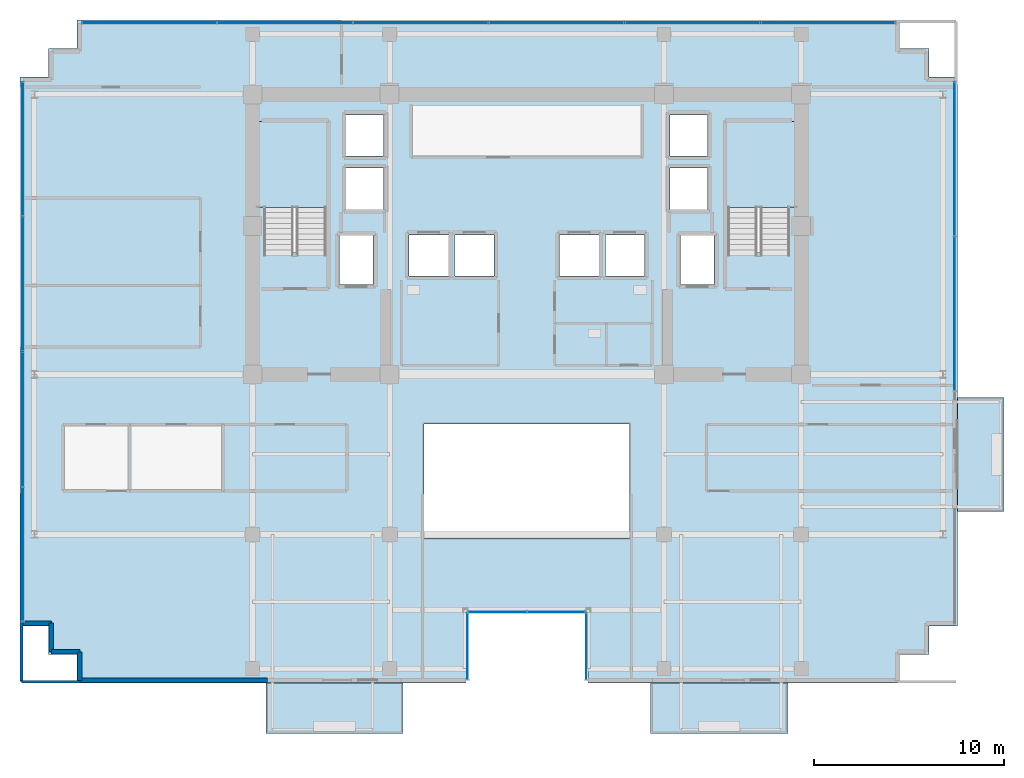
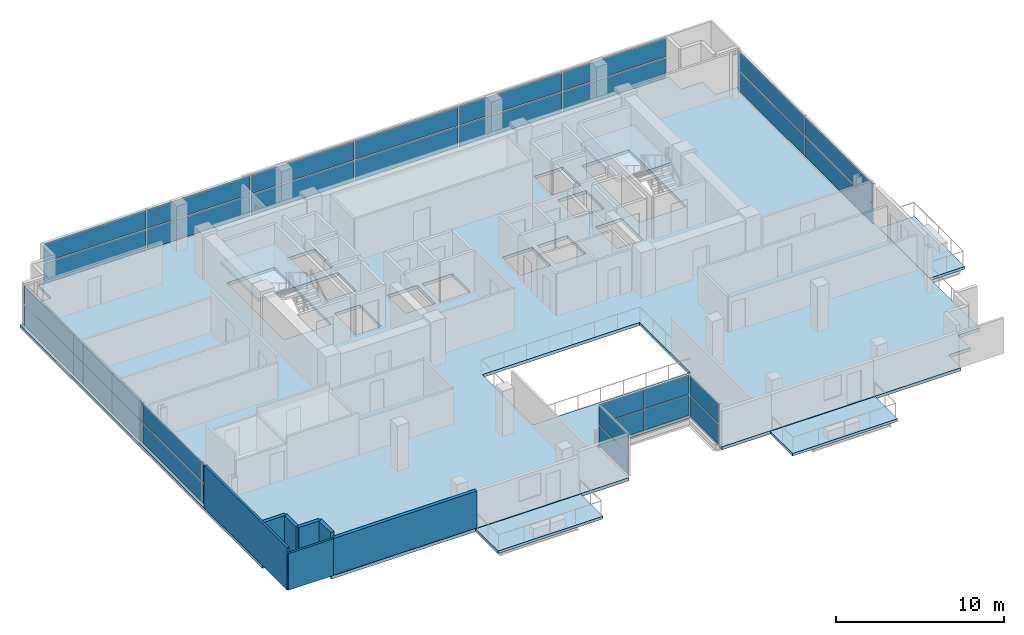
# One storey, part 17 of 25: 32 plates, 7 walls, 6 slabs, 8 elements without a shape of their own.
"""IFC4 building model written with IfcOpenShell, lengths in metres."""

from ifc_helpers import new_model, si_unit, direction, frame, frame_2d, origin, origin_2d, place, context, subcontext, project, spatial, polyline, rectangle, outline, extrude, source, transform, mapped, material, layer, layer_set, type_object, element, aggregate, save


model = new_model("IFC4")

# Units and contexts
model_context = context("Model", 3, precision=1e-05, world=origin(), true_north=direction((0.0, 1.0)))
body_context = subcontext(model_context, "Body", "Model", "MODEL_VIEW")
ifc_project = project(units=[si_unit("LENGTHUNIT", "METRE"), si_unit("AREAUNIT", "SQUARE_METRE"), si_unit("VOLUMEUNIT", "CUBIC_METRE"), si_unit("PLANEANGLEUNIT", "RADIAN"), si_unit("MASSUNIT", "GRAM", prefix="KILO")], contexts=[model_context])

# Site, building, storey
site_placement = place(None, origin())
site = spatial("IfcSite", under=ifc_project, at=site_placement, CompositionType="ELEMENT")
building_placement = place(site_placement, origin())
building = spatial("IfcBuilding", under=site, at=building_placement, Name="Zarnakvel Exchange Tower", CompositionType="ELEMENT")
storey_placement = place(building_placement, frame((0.0, 0.0, 169.300048828125)))
storey = spatial("IfcBuildingStorey", under=building, at=storey_placement, Name="L47", CompositionType="ELEMENT", Elevation=169.300048828125)

# Stair, slab
ifc_material_1 = material(Name="Concrete C40/50", Category="concrete")
stair_type = type_object("IfcStairType", Name="STR-01", PredefinedType="HALF_TURN_STAIR", material=ifc_material_1)
stair_1_placement = place(storey_placement, origin())
stair_1 = element("IfcStair", 1, at=stair_1_placement, inside=storey, type_object=stair_type, Name="L47 Protected Core Exit Stair ST-01", PredefinedType="HALF_TURN_STAIR")
ifc_layer_1 = layer(ifc_material_1, 0.199951171875)
ifc_layer_set_1 = layer_set([ifc_layer_1], Name="Concrete C40/50")
slab_type_1 = type_object("IfcSlabType", Name="LDG-01", PredefinedType="LANDING", material=ifc_layer_set_1)
slab_1_placement = place(storey_placement, frame((0.0, 0.0, 1.449951171875)))
slab_1 = element("IfcSlab", 2, at=slab_1_placement, type_object=slab_type_1, Name="ST-01 landing 1", PredefinedType="LANDING", context=body_context, shape_type="SweptSolid", body=[
    extrude(outline(polyline([(-14.18994140625, 7.570068359375), (-10.4599609375, 7.570068359375), (-10.4599609375, 12.080078125), (-14.18994140625, 12.080078125), (-14.18994140625, 7.570068359375)])), origin(), (0.0, 0.0, 1.0), 0.199951171875),
])
aggregate(stair_1, [slab_1])

stair_2_placement = place(storey_placement, origin())
stair_2 = element("IfcStair", 3, at=stair_2_placement, inside=storey, type_object=stair_type, Name="L47 Protected Core Exit Stair ST-02", PredefinedType="HALF_TURN_STAIR")
slab_2_placement = place(storey_placement, frame((0.0, 0.0, 1.449951171875)))
slab_2 = element("IfcSlab", 4, at=slab_2_placement, type_object=slab_type_1, Name="ST-02 landing 1", PredefinedType="LANDING", context=body_context, shape_type="SweptSolid", body=[
    extrude(outline(polyline([(10.4599609375, 7.570068359375), (14.18994140625, 7.570068359375), (14.18994140625, 12.080078125), (10.4599609375, 12.080078125), (10.4599609375, 7.570068359375)])), origin(), (0.0, 0.0, 1.0), 0.199951171875),
])
aggregate(stair_2, [slab_2])

# Slabs
ifc_layer_2 = layer(ifc_material_1, 0.22509765625)
ifc_layer_set_2 = layer_set([ifc_layer_2], Name="Concrete C40/50")
slab_type_2 = type_object("IfcSlabType", Name="SL-04", PredefinedType="FLOOR", material=ifc_layer_set_2)
slab_3_placement = place(storey_placement, frame((0.0, 0.0, -0.22509765625)))
element("IfcSlab", 5, at=slab_3_placement, inside=storey, type_object=slab_type_2, Name="L47 Primary Structural Floor Slab", PredefinedType="FLOOR", context=body_context, shape_type="SweptSolid", body=[
    extrude(outline(polyline([(-26.60009765625, -14.39990234375), (-25.10009765625, -14.39990234375), (-25.10009765625, -15.89990234375), (-23.60009765625, -15.89990234375), (-23.60009765625, -17.39990234375), (-3.199951171875, -17.39990234375), (-3.199951171875, -13.60009765625), (3.199951171875, -13.60009765625), (3.199951171875, -17.39990234375), (19.60009765625, -17.39990234375), (19.60009765625, -15.89990234375), (21.10009765625, -15.89990234375), (21.10009765625, -14.39990234375), (22.60009765625, -14.39990234375), (22.60009765625, 14.39990234375), (21.10009765625, 14.39990234375), (21.10009765625, 15.89990234375), (19.60009765625, 15.89990234375), (19.60009765625, 17.39990234375), (-23.60009765625, 17.39990234375), (-23.60009765625, 15.89990234375), (-25.10009765625, 15.89990234375), (-25.10009765625, 14.39990234375), (-26.60009765625, 14.39990234375), (-26.60009765625, -14.39990234375)]), holes=[polyline([(-5.39990234375, -9.800048828125), (5.39990234375, -9.800048828125), (5.39990234375, -3.800048828125), (-5.39990234375, -3.800048828125), (-5.39990234375, -9.800048828125)]), polyline([(-13.800048828125, 5.2099609375), (-10.5400390625, 5.2099609375), (-10.5400390625, 12.0), (-13.800048828125, 12.0), (-13.800048828125, 5.2099609375)]), polyline([(10.5400390625, 5.2099609375), (13.800048828125, 5.2099609375), (13.800048828125, 12.0), (10.5400390625, 12.0), (10.5400390625, 5.2099609375)]), polyline([(-9.830078125, 3.52001953125), (-8.070068359375, 3.52001953125), (-8.070068359375, 6.080078125), (-9.830078125, 6.080078125), (-9.830078125, 3.52001953125)]), polyline([(8.070068359375, 3.52001953125), (9.830078125, 3.52001953125), (9.830078125, 6.080078125), (8.070068359375, 6.080078125), (8.070068359375, 3.52001953125)]), polyline([(-6.179931640625, 3.969970703125), (-4.1201171875, 3.969970703125), (-4.1201171875, 6.1298828125), (-6.179931640625, 6.1298828125), (-6.179931640625, 3.969970703125)]), polyline([(-3.780029296875, 3.969970703125), (-1.719970703125, 3.969970703125), (-1.719970703125, 6.1298828125), (-3.780029296875, 6.1298828125), (-3.780029296875, 3.969970703125)]), polyline([(1.719970703125, 3.969970703125), (3.780029296875, 3.969970703125), (3.780029296875, 6.1298828125), (1.719970703125, 6.1298828125), (1.719970703125, 3.969970703125)]), polyline([(4.1201171875, 3.969970703125), (6.179931640625, 3.969970703125), (6.179931640625, 6.1298828125), (4.1201171875, 6.1298828125), (4.1201171875, 3.969970703125)]), polyline([(-9.47998046875, 7.469970703125), (-7.52001953125, 7.469970703125), (-7.52001953125, 9.6298828125), (-9.47998046875, 9.6298828125), (-9.47998046875, 7.469970703125)]), polyline([(-9.47998046875, 10.27001953125), (-7.52001953125, 10.27001953125), (-7.52001953125, 12.429931640625), (-9.47998046875, 12.429931640625), (-9.47998046875, 10.27001953125)]), polyline([(7.52001953125, 7.469970703125), (9.47998046875, 7.469970703125), (9.47998046875, 9.6298828125), (7.52001953125, 9.6298828125), (7.52001953125, 7.469970703125)]), polyline([(7.52001953125, 10.27001953125), (9.47998046875, 10.27001953125), (9.47998046875, 12.429931640625), (7.52001953125, 12.429931640625), (7.52001953125, 10.27001953125)])]), origin(), (0.0, 0.0, 1.0), 0.22509765625),
])
ifc_layer_3 = layer(ifc_material_1, 0.18994140625)
ifc_layer_set_3 = layer_set([ifc_layer_3], Name="Concrete C40/50")
slab_type_3 = type_object("IfcSlabType", Name="SL-08", PredefinedType="USERDEFINED", material=ifc_layer_set_3)
slab_4_placement = place(storey_placement, frame((0.0, 0.0, -0.22509765625)))
element("IfcSlab", 6, at=slab_4_placement, inside=storey, type_object=slab_type_3, Name="L47 Planted Loggia Balcony Slab BAL-L47-SW", ObjectType="BALCONY", PredefinedType="USERDEFINED", context=body_context, shape_type="SweptSolid", body=[
    extrude(outline(polyline([(-13.699951171875, -20.050048828125), (-6.5, -20.050048828125), (-6.5, -17.39990234375), (-13.699951171875, -17.39990234375), (-13.699951171875, -20.050048828125)])), origin(), (0.0, 0.0, 1.0), 0.18994140625),
])
slab_5_placement = place(storey_placement, frame((0.0, 0.0, -0.22509765625)))
element("IfcSlab", 7, at=slab_5_placement, inside=storey, type_object=slab_type_3, Name="L47 Planted Loggia Balcony Slab BAL-L47-SE", ObjectType="BALCONY", PredefinedType="USERDEFINED", context=body_context, shape_type="SweptSolid", body=[
    extrude(outline(polyline([(6.5, -20.050048828125), (13.699951171875, -20.050048828125), (13.699951171875, -17.39990234375), (6.5, -17.39990234375), (6.5, -20.050048828125)])), origin(), (0.0, 0.0, 1.0), 0.18994140625),
])
slab_6_placement = place(storey_placement, frame((0.0, 0.0, -0.22509765625)))
element("IfcSlab", 8, at=slab_6_placement, inside=storey, type_object=slab_type_3, Name="L47 Planted Loggia Balcony Slab BAL-L47-E", ObjectType="BALCONY", PredefinedType="USERDEFINED", context=body_context, shape_type="SweptSolid", body=[
    extrude(outline(polyline([(22.60009765625, -8.39990234375), (25.050048828125, -8.39990234375), (25.050048828125, -2.39990234375), (22.60009765625, -2.39990234375), (22.60009765625, -8.39990234375)])), origin(), (0.0, 0.0, 1.0), 0.18994140625),
])

# Curtain wall, plate
ifc_material_2 = material(Name="Architectural Bronze Anodised Aluminium", Category="aluminium")
ifc_layer_4 = layer(ifc_material_2, 0.179931640625)
ifc_layer_set_4 = layer_set([ifc_layer_4], Name="Architectural Bronze Anodised Aluminium")
curtain_wall_type_1 = type_object("IfcCurtainWallType", Name="CW-05", PredefinedType="NOTDEFINED", material=ifc_layer_set_4)
curtain_wall_1_placement = place(storey_placement, origin())
curtain_wall_1 = element("IfcCurtainWall", 9, at=curtain_wall_1_placement, inside=storey, type_object=curtain_wall_type_1, Name="L47 Curtain Wall CW-L47-SLW (CW-05)", PredefinedType="NOTDEFINED")
ifc_material_3 = material(Name="Double Low-E Laminated Vision Glass", Category="glass")
ifc_layer_5 = layer(ifc_material_3, 0.02587890625)
ifc_layer_set_5 = layer_set([ifc_layer_5], Name="Double Low-E Laminated Vision Glass")
plate_type_1 = type_object("IfcPlateType", Name="CWP-05", PredefinedType="CURTAIN_PANEL", material=ifc_layer_set_5)
shared_shape_1 = source(origin(), body_context, "Body", "SweptSolid", [
    extrude(rectangle(XDim=3.4599609375, YDim=0.02587890625, at=origin_2d()), origin(), (0.0, 0.0, 1.0), 1.483642578125),
])
plate_1_placement = place(storey_placement, frame((-3.1201171875, -15.47998046875, 0.06982421875), z_axis=(0.0, 0.0, 1.0), x_axis=(0.0, 1.0, 0.0)))
plate_1 = element("IfcPlate", 10, at=plate_1_placement, type_object=plate_type_1, Name="CW-05 panel 1.1", PredefinedType="CURTAIN_PANEL", context=body_context, shape_type="MappedRepresentation", body=[
    mapped(shared_shape_1, transform((0.0, 0.0, 0.0), x_axis=(1.0, 0.0, 0.0), y_axis=(0.0, 1.0, 0.0), z_axis=(0.0, 0.0, 1.0), scale=1.0)),
])

curtain_wall_2_placement = place(storey_placement, origin())
curtain_wall_2 = element("IfcCurtainWall", 11, at=curtain_wall_2_placement, inside=storey, type_object=curtain_wall_type_1, Name="L47 Curtain Wall CW-L47-SLE (CW-05)", PredefinedType="NOTDEFINED")
plate_2_placement = place(storey_placement, frame((3.1201171875, -15.47998046875, 0.06982421875), z_axis=(0.0, 0.0, 1.0), x_axis=(0.0, -1.0, 0.0)))
plate_2 = element("IfcPlate", 12, at=plate_2_placement, type_object=plate_type_1, Name="CW-05 panel 1.1", PredefinedType="CURTAIN_PANEL", context=body_context, shape_type="MappedRepresentation", body=[
    mapped(shared_shape_1, transform((0.0, 0.0, 0.0), x_axis=(1.0, 0.0, 0.0), y_axis=(0.0, 1.0, 0.0), z_axis=(0.0, 0.0, 1.0), scale=1.0)),
])

# Plate
shared_shape_2 = source(origin(), body_context, "Body", "SweptSolid", [
    extrude(rectangle(XDim=3.4599609375, YDim=0.02587890625, at=origin_2d()), origin(), (0.0, 0.0, 1.0), 1.361328125),
])
plate_3_placement = place(storey_placement, frame((-3.1201171875, -15.47998046875, 1.62353515625), z_axis=(0.0, 0.0, 1.0), x_axis=(0.0, 1.0, 0.0)))
plate_3 = element("IfcPlate", 13, at=plate_3_placement, type_object=plate_type_1, Name="CW-05 panel 1.2", PredefinedType="CURTAIN_PANEL", context=body_context, shape_type="MappedRepresentation", body=[
    mapped(shared_shape_2, transform((0.0, 0.0, 0.0), x_axis=(1.0, 0.0, 0.0), y_axis=(0.0, 1.0, 0.0), z_axis=(0.0, 0.0, 1.0), scale=1.0)),
])

aggregate(curtain_wall_1, [plate_1, plate_3])

plate_4_placement = place(storey_placement, frame((3.1201171875, -15.47998046875, 1.62353515625), z_axis=(0.0, 0.0, 1.0), x_axis=(0.0, -1.0, 0.0)))
plate_4 = element("IfcPlate", 14, at=plate_4_placement, type_object=plate_type_1, Name="CW-05 panel 1.2", PredefinedType="CURTAIN_PANEL", context=body_context, shape_type="MappedRepresentation", body=[
    mapped(shared_shape_2, transform((0.0, 0.0, 0.0), x_axis=(1.0, 0.0, 0.0), y_axis=(0.0, 1.0, 0.0), z_axis=(0.0, 0.0, 1.0), scale=1.0)),
])

aggregate(curtain_wall_2, [plate_2, plate_4])

# Curtain wall, plates
curtain_wall_3_placement = place(storey_placement, origin())
curtain_wall_3 = element("IfcCurtainWall", 15, at=curtain_wall_3_placement, inside=storey, type_object=curtain_wall_type_1, Name="L47 Curtain Wall CW-L47-SLB (CW-05)", PredefinedType="NOTDEFINED")
shared_shape_3 = source(origin(), body_context, "Body", "SweptSolid", [
    extrude(rectangle(XDim=3.014892578125, YDim=0.02587890625, at=origin_2d()), origin(), (0.0, 0.0, 1.0), 1.483642578125),
])
plate_5_placement = place(storey_placement, frame((-1.54248046875, -13.679931640625, 0.06982421875), z_axis=(0.0, 0.0, 1.0), x_axis=(1.0, 0.0, 0.0)))
plate_5 = element("IfcPlate", 16, at=plate_5_placement, type_object=plate_type_1, Name="CW-05 panel 1.1", PredefinedType="CURTAIN_PANEL", context=body_context, shape_type="MappedRepresentation", body=[
    mapped(shared_shape_3, transform((0.0, 0.0, 0.0), x_axis=(1.0, 0.0, 0.0), y_axis=(0.0, 1.0, 0.0), z_axis=(0.0, 0.0, 1.0), scale=1.0)),
])
plate_6_placement = place(storey_placement, frame((1.54248046875, -13.679931640625, 0.06982421875), z_axis=(0.0, 0.0, 1.0), x_axis=(1.0, 0.0, 0.0)))
plate_6 = element("IfcPlate", 17, at=plate_6_placement, type_object=plate_type_1, Name="CW-05 panel 2.1", PredefinedType="CURTAIN_PANEL", context=body_context, shape_type="MappedRepresentation", body=[
    mapped(shared_shape_3, transform((0.0, 0.0, 0.0), x_axis=(1.0, 0.0, 0.0), y_axis=(0.0, 1.0, 0.0), z_axis=(0.0, 0.0, 1.0), scale=1.0)),
])
shared_shape_4 = source(origin(), body_context, "Body", "SweptSolid", [
    extrude(rectangle(XDim=3.014892578125, YDim=0.02587890625, at=origin_2d()), origin(), (0.0, 0.0, 1.0), 1.361328125),
])
plate_7_placement = place(storey_placement, frame((-1.54248046875, -13.679931640625, 1.62353515625), z_axis=(0.0, 0.0, 1.0), x_axis=(1.0, 0.0, 0.0)))
plate_7 = element("IfcPlate", 18, at=plate_7_placement, type_object=plate_type_1, Name="CW-05 panel 1.2", PredefinedType="CURTAIN_PANEL", context=body_context, shape_type="MappedRepresentation", body=[
    mapped(shared_shape_4, transform((0.0, 0.0, 0.0), x_axis=(1.0, 0.0, 0.0), y_axis=(0.0, 1.0, 0.0), z_axis=(0.0, 0.0, 1.0), scale=1.0)),
])
plate_8_placement = place(storey_placement, frame((1.54248046875, -13.679931640625, 1.62353515625), z_axis=(0.0, 0.0, 1.0), x_axis=(1.0, 0.0, 0.0)))
plate_8 = element("IfcPlate", 19, at=plate_8_placement, type_object=plate_type_1, Name="CW-05 panel 2.2", PredefinedType="CURTAIN_PANEL", context=body_context, shape_type="MappedRepresentation", body=[
    mapped(shared_shape_4, transform((0.0, 0.0, 0.0), x_axis=(1.0, 0.0, 0.0), y_axis=(0.0, 1.0, 0.0), z_axis=(0.0, 0.0, 1.0), scale=1.0)),
])
aggregate(curtain_wall_3, [plate_5, plate_7, plate_6, plate_8])

ifc_layer_6 = layer(ifc_material_2, 0.219970703125)
ifc_layer_set_6 = layer_set([ifc_layer_6], Name="Architectural Bronze Anodised Aluminium")
curtain_wall_type_2 = type_object("IfcCurtainWallType", Name="CW-03", PredefinedType="NOTDEFINED", material=ifc_layer_set_6)
curtain_wall_4_placement = place(storey_placement, origin())
curtain_wall_4 = element("IfcCurtainWall", 20, at=curtain_wall_4_placement, inside=storey, type_object=curtain_wall_type_2, Name="L47 Curtain Wall CW-L47-N1 (CW-03)", PredefinedType="NOTDEFINED")
ifc_layer_7 = layer(ifc_material_3, 0.030029296875)
ifc_layer_set_7 = layer_set([ifc_layer_7], Name="Double Low-E Laminated Vision Glass")
plate_type_2 = type_object("IfcPlateType", Name="CWP-03", PredefinedType="CURTAIN_PANEL", material=ifc_layer_set_7)
shared_shape_5 = source(origin(), body_context, "Body", "SweptSolid", [
    extrude(rectangle(XDim=7.013427734375, YDim=0.030029296875, at=origin_2d()), origin(), (0.0, 0.0, 1.0), 1.468505859375),
])
plate_9_placement = place(storey_placement, frame((-19.813232421875, 17.260009765625, 0.080078125), z_axis=(0.0, 0.0, 1.0), x_axis=(1.0, 0.0, 0.0)))
plate_9 = element("IfcPlate", 21, at=plate_9_placement, type_object=plate_type_2, Name="CW-03 panel 1.1", PredefinedType="CURTAIN_PANEL", context=body_context, shape_type="MappedRepresentation", body=[
    mapped(shared_shape_5, transform((0.0, 0.0, 0.0), x_axis=(1.0, 0.0, 0.0), y_axis=(0.0, 1.0, 0.0), z_axis=(0.0, 0.0, 1.0), scale=1.0)),
])
plate_10_placement = place(storey_placement, frame((15.813232421875, 17.260009765625, 0.080078125), z_axis=(0.0, 0.0, 1.0), x_axis=(1.0, 0.0, 0.0)))
plate_10 = element("IfcPlate", 22, at=plate_10_placement, type_object=plate_type_2, Name="CW-03 panel 6.1", PredefinedType="CURTAIN_PANEL", context=body_context, shape_type="MappedRepresentation", body=[
    mapped(shared_shape_5, transform((0.0, 0.0, 0.0), x_axis=(1.0, 0.0, 0.0), y_axis=(0.0, 1.0, 0.0), z_axis=(0.0, 0.0, 1.0), scale=1.0)),
])
shared_shape_6 = source(origin(), body_context, "Body", "SweptSolid", [
    extrude(rectangle(XDim=7.013427734375, YDim=0.030029296875, at=origin_2d()), origin(), (0.0, 0.0, 1.0), 1.346435546875),
])
plate_11_placement = place(storey_placement, frame((-19.813232421875, 17.260009765625, 1.62841796875), z_axis=(0.0, 0.0, 1.0), x_axis=(1.0, 0.0, 0.0)))
plate_11 = element("IfcPlate", 23, at=plate_11_placement, type_object=plate_type_2, Name="CW-03 panel 1.2", PredefinedType="CURTAIN_PANEL", context=body_context, shape_type="MappedRepresentation", body=[
    mapped(shared_shape_6, transform((0.0, 0.0, 0.0), x_axis=(1.0, 0.0, 0.0), y_axis=(0.0, 1.0, 0.0), z_axis=(0.0, 0.0, 1.0), scale=1.0)),
])
plate_12_placement = place(storey_placement, frame((15.813232421875, 17.260009765625, 1.62841796875), z_axis=(0.0, 0.0, 1.0), x_axis=(1.0, 0.0, 0.0)))
plate_12 = element("IfcPlate", 24, at=plate_12_placement, type_object=plate_type_2, Name="CW-03 panel 6.2", PredefinedType="CURTAIN_PANEL", context=body_context, shape_type="MappedRepresentation", body=[
    mapped(shared_shape_6, transform((0.0, 0.0, 0.0), x_axis=(1.0, 0.0, 0.0), y_axis=(0.0, 1.0, 0.0), z_axis=(0.0, 0.0, 1.0), scale=1.0)),
])
shared_shape_7 = source(origin(), body_context, "Body", "SweptSolid", [
    extrude(rectangle(XDim=7.05322265625, YDim=0.030029296875, at=origin_2d()), origin(), (0.0, 0.0, 1.0), 1.468505859375),
])
plate_13_placement = place(storey_placement, frame((-12.699951171875, 17.260009765625, 0.080078125), z_axis=(0.0, 0.0, 1.0), x_axis=(1.0, 0.0, 0.0)))
plate_13 = element("IfcPlate", 25, at=plate_13_placement, type_object=plate_type_2, Name="CW-03 panel 2.1", PredefinedType="CURTAIN_PANEL", context=body_context, shape_type="MappedRepresentation", body=[
    mapped(shared_shape_7, transform((0.0, 0.0, 0.0), x_axis=(1.0, 0.0, 0.0), y_axis=(0.0, 1.0, 0.0), z_axis=(0.0, 0.0, 1.0), scale=1.0)),
])
plate_14_placement = place(storey_placement, frame((-5.566650390625, 17.260009765625, 0.080078125), z_axis=(0.0, 0.0, 1.0), x_axis=(1.0, 0.0, 0.0)))
plate_14 = element("IfcPlate", 26, at=plate_14_placement, type_object=plate_type_2, Name="CW-03 panel 3.1", PredefinedType="CURTAIN_PANEL", context=body_context, shape_type="MappedRepresentation", body=[
    mapped(shared_shape_7, transform((0.0, 0.0, 0.0), x_axis=(1.0, 0.0, 0.0), y_axis=(0.0, 1.0, 0.0), z_axis=(0.0, 0.0, 1.0), scale=1.0)),
])
plate_15_placement = place(storey_placement, frame((1.566650390625, 17.260009765625, 0.080078125), z_axis=(0.0, 0.0, 1.0), x_axis=(1.0, 0.0, 0.0)))
plate_15 = element("IfcPlate", 27, at=plate_15_placement, type_object=plate_type_2, Name="CW-03 panel 4.1", PredefinedType="CURTAIN_PANEL", context=body_context, shape_type="MappedRepresentation", body=[
    mapped(shared_shape_7, transform((0.0, 0.0, 0.0), x_axis=(1.0, 0.0, 0.0), y_axis=(0.0, 1.0, 0.0), z_axis=(0.0, 0.0, 1.0), scale=1.0)),
])
plate_16_placement = place(storey_placement, frame((8.699951171875, 17.260009765625, 0.080078125), z_axis=(0.0, 0.0, 1.0), x_axis=(1.0, 0.0, 0.0)))
plate_16 = element("IfcPlate", 28, at=plate_16_placement, type_object=plate_type_2, Name="CW-03 panel 5.1", PredefinedType="CURTAIN_PANEL", context=body_context, shape_type="MappedRepresentation", body=[
    mapped(shared_shape_7, transform((0.0, 0.0, 0.0), x_axis=(1.0, 0.0, 0.0), y_axis=(0.0, 1.0, 0.0), z_axis=(0.0, 0.0, 1.0), scale=1.0)),
])
shared_shape_8 = source(origin(), body_context, "Body", "SweptSolid", [
    extrude(rectangle(XDim=7.05322265625, YDim=0.030029296875, at=origin_2d()), origin(), (0.0, 0.0, 1.0), 1.346435546875),
])
plate_17_placement = place(storey_placement, frame((-12.699951171875, 17.260009765625, 1.62841796875), z_axis=(0.0, 0.0, 1.0), x_axis=(1.0, 0.0, 0.0)))
plate_17 = element("IfcPlate", 29, at=plate_17_placement, type_object=plate_type_2, Name="CW-03 panel 2.2", PredefinedType="CURTAIN_PANEL", context=body_context, shape_type="MappedRepresentation", body=[
    mapped(shared_shape_8, transform((0.0, 0.0, 0.0), x_axis=(1.0, 0.0, 0.0), y_axis=(0.0, 1.0, 0.0), z_axis=(0.0, 0.0, 1.0), scale=1.0)),
])
plate_18_placement = place(storey_placement, frame((-5.566650390625, 17.260009765625, 1.62841796875), z_axis=(0.0, 0.0, 1.0), x_axis=(1.0, 0.0, 0.0)))
plate_18 = element("IfcPlate", 30, at=plate_18_placement, type_object=plate_type_2, Name="CW-03 panel 3.2", PredefinedType="CURTAIN_PANEL", context=body_context, shape_type="MappedRepresentation", body=[
    mapped(shared_shape_8, transform((0.0, 0.0, 0.0), x_axis=(1.0, 0.0, 0.0), y_axis=(0.0, 1.0, 0.0), z_axis=(0.0, 0.0, 1.0), scale=1.0)),
])
plate_19_placement = place(storey_placement, frame((1.566650390625, 17.260009765625, 1.62841796875), z_axis=(0.0, 0.0, 1.0), x_axis=(1.0, 0.0, 0.0)))
plate_19 = element("IfcPlate", 31, at=plate_19_placement, type_object=plate_type_2, Name="CW-03 panel 4.2", PredefinedType="CURTAIN_PANEL", context=body_context, shape_type="MappedRepresentation", body=[
    mapped(shared_shape_8, transform((0.0, 0.0, 0.0), x_axis=(1.0, 0.0, 0.0), y_axis=(0.0, 1.0, 0.0), z_axis=(0.0, 0.0, 1.0), scale=1.0)),
])
plate_20_placement = place(storey_placement, frame((8.699951171875, 17.260009765625, 1.62841796875), z_axis=(0.0, 0.0, 1.0), x_axis=(1.0, 0.0, 0.0)))
plate_20 = element("IfcPlate", 32, at=plate_20_placement, type_object=plate_type_2, Name="CW-03 panel 5.2", PredefinedType="CURTAIN_PANEL", context=body_context, shape_type="MappedRepresentation", body=[
    mapped(shared_shape_8, transform((0.0, 0.0, 0.0), x_axis=(1.0, 0.0, 0.0), y_axis=(0.0, 1.0, 0.0), z_axis=(0.0, 0.0, 1.0), scale=1.0)),
])
aggregate(curtain_wall_4, [plate_9, plate_11, plate_13, plate_17, plate_14, plate_18, plate_15, plate_19, plate_16, plate_20, plate_10, plate_12])

ifc_layer_8 = layer(ifc_material_2, 0.199951171875)
ifc_layer_set_8 = layer_set([ifc_layer_8], Name="Architectural Bronze Anodised Aluminium")
curtain_wall_type_3 = type_object("IfcCurtainWallType", Name="CW-04", PredefinedType="NOTDEFINED", material=ifc_layer_set_8)
curtain_wall_5_placement = place(storey_placement, origin())
curtain_wall_5 = element("IfcCurtainWall", 33, at=curtain_wall_5_placement, inside=storey, type_object=curtain_wall_type_3, Name="L47 Curtain Wall CW-L47-EN (CW-04)", PredefinedType="NOTDEFINED")
ifc_layer_9 = layer(ifc_material_3, 0.028076171875)
ifc_layer_set_9 = layer_set([ifc_layer_9], Name="Double Low-E Laminated Vision Glass")
plate_type_3 = type_object("IfcPlateType", Name="CWP-04", PredefinedType="CURTAIN_PANEL", material=ifc_layer_set_9)
shared_shape_9 = source(origin(), body_context, "Body", "SweptSolid", [
    extrude(rectangle(XDim=8.03759765625, YDim=0.028076171875, at=origin_2d()), origin(), (0.0, 0.0, 1.0), 1.47607421875),
])
plate_21_placement = place(storey_placement, frame((22.4599609375, 1.99365234375, 0.074951171875), z_axis=(0.0, 0.0, 1.0), x_axis=(0.0, 1.0, 0.0)))
plate_21 = element("IfcPlate", 34, at=plate_21_placement, type_object=plate_type_3, Name="CW-04 panel 1.1", PredefinedType="CURTAIN_PANEL", context=body_context, shape_type="MappedRepresentation", body=[
    mapped(shared_shape_9, transform((0.0, 0.0, 0.0), x_axis=(1.0, 0.0, 0.0), y_axis=(0.0, 1.0, 0.0), z_axis=(0.0, 0.0, 1.0), scale=1.0)),
])
plate_22_placement = place(storey_placement, frame((22.4599609375, 10.106201171875, 0.074951171875), z_axis=(0.0, 0.0, 1.0), x_axis=(0.0, 1.0, 0.0)))
plate_22 = element("IfcPlate", 35, at=plate_22_placement, type_object=plate_type_3, Name="CW-04 panel 2.1", PredefinedType="CURTAIN_PANEL", context=body_context, shape_type="MappedRepresentation", body=[
    mapped(shared_shape_9, transform((0.0, 0.0, 0.0), x_axis=(1.0, 0.0, 0.0), y_axis=(0.0, 1.0, 0.0), z_axis=(0.0, 0.0, 1.0), scale=1.0)),
])
shared_shape_10 = source(origin(), body_context, "Body", "SweptSolid", [
    extrude(rectangle(XDim=8.03759765625, YDim=0.028076171875, at=origin_2d()), origin(), (0.0, 0.0, 1.0), 1.35400390625),
])
plate_23_placement = place(storey_placement, frame((22.4599609375, 1.99365234375, 1.6259765625), z_axis=(0.0, 0.0, 1.0), x_axis=(0.0, 1.0, 0.0)))
plate_23 = element("IfcPlate", 36, at=plate_23_placement, type_object=plate_type_3, Name="CW-04 panel 1.2", PredefinedType="CURTAIN_PANEL", context=body_context, shape_type="MappedRepresentation", body=[
    mapped(shared_shape_10, transform((0.0, 0.0, 0.0), x_axis=(1.0, 0.0, 0.0), y_axis=(0.0, 1.0, 0.0), z_axis=(0.0, 0.0, 1.0), scale=1.0)),
])
plate_24_placement = place(storey_placement, frame((22.4599609375, 10.106201171875, 1.6259765625), z_axis=(0.0, 0.0, 1.0), x_axis=(0.0, 1.0, 0.0)))
plate_24 = element("IfcPlate", 37, at=plate_24_placement, type_object=plate_type_3, Name="CW-04 panel 2.2", PredefinedType="CURTAIN_PANEL", context=body_context, shape_type="MappedRepresentation", body=[
    mapped(shared_shape_10, transform((0.0, 0.0, 0.0), x_axis=(1.0, 0.0, 0.0), y_axis=(0.0, 1.0, 0.0), z_axis=(0.0, 0.0, 1.0), scale=1.0)),
])
aggregate(curtain_wall_5, [plate_21, plate_23, plate_22, plate_24])

curtain_wall_6_placement = place(storey_placement, origin())
curtain_wall_6 = element("IfcCurtainWall", 38, at=curtain_wall_6_placement, inside=storey, type_object=curtain_wall_type_3, Name="L47 Curtain Wall CW-L47-W1 (CW-04)", PredefinedType="NOTDEFINED")
shared_shape_11 = source(origin(), body_context, "Body", "SweptSolid", [
    extrude(rectangle(XDim=6.987548828125, YDim=0.028076171875, at=origin_2d()), origin(), (0.0, 0.0, 1.0), 1.47607421875),
])
plate_25_placement = place(storey_placement, frame((-26.4599609375, -10.63134765625, 0.074951171875), z_axis=(0.0, 0.0, 1.0), x_axis=(0.0, 1.0, 0.0)))
plate_25 = element("IfcPlate", 39, at=plate_25_placement, type_object=plate_type_3, Name="CW-04 panel 1.1", PredefinedType="CURTAIN_PANEL", context=body_context, shape_type="MappedRepresentation", body=[
    mapped(shared_shape_11, transform((0.0, 0.0, 0.0), x_axis=(1.0, 0.0, 0.0), y_axis=(0.0, 1.0, 0.0), z_axis=(0.0, 0.0, 1.0), scale=1.0)),
])
plate_26_placement = place(storey_placement, frame((-26.4599609375, 10.63134765625, 0.074951171875), z_axis=(0.0, 0.0, 1.0), x_axis=(0.0, 1.0, 0.0)))
plate_26 = element("IfcPlate", 40, at=plate_26_placement, type_object=plate_type_3, Name="CW-04 panel 4.1", PredefinedType="CURTAIN_PANEL", context=body_context, shape_type="MappedRepresentation", body=[
    mapped(shared_shape_11, transform((0.0, 0.0, 0.0), x_axis=(1.0, 0.0, 0.0), y_axis=(0.0, 1.0, 0.0), z_axis=(0.0, 0.0, 1.0), scale=1.0)),
])
shared_shape_12 = source(origin(), body_context, "Body", "SweptSolid", [
    extrude(rectangle(XDim=6.987548828125, YDim=0.028076171875, at=origin_2d()), origin(), (0.0, 0.0, 1.0), 1.35400390625),
])
plate_27_placement = place(storey_placement, frame((-26.4599609375, -10.63134765625, 1.6259765625), z_axis=(0.0, 0.0, 1.0), x_axis=(0.0, 1.0, 0.0)))
plate_27 = element("IfcPlate", 41, at=plate_27_placement, type_object=plate_type_3, Name="CW-04 panel 1.2", PredefinedType="CURTAIN_PANEL", context=body_context, shape_type="MappedRepresentation", body=[
    mapped(shared_shape_12, transform((0.0, 0.0, 0.0), x_axis=(1.0, 0.0, 0.0), y_axis=(0.0, 1.0, 0.0), z_axis=(0.0, 0.0, 1.0), scale=1.0)),
])
plate_28_placement = place(storey_placement, frame((-26.4599609375, 10.63134765625, 1.6259765625), z_axis=(0.0, 0.0, 1.0), x_axis=(0.0, 1.0, 0.0)))
plate_28 = element("IfcPlate", 42, at=plate_28_placement, type_object=plate_type_3, Name="CW-04 panel 4.2", PredefinedType="CURTAIN_PANEL", context=body_context, shape_type="MappedRepresentation", body=[
    mapped(shared_shape_12, transform((0.0, 0.0, 0.0), x_axis=(1.0, 0.0, 0.0), y_axis=(0.0, 1.0, 0.0), z_axis=(0.0, 0.0, 1.0), scale=1.0)),
])
shared_shape_13 = source(origin(), body_context, "Body", "SweptSolid", [
    extrude(rectangle(XDim=7.02490234375, YDim=0.028076171875, at=origin_2d()), origin(), (0.0, 0.0, 1.0), 1.47607421875),
])
plate_29_placement = place(storey_placement, frame((-26.4599609375, -3.550048828125, 0.074951171875), z_axis=(0.0, 0.0, 1.0), x_axis=(0.0, 1.0, 0.0)))
plate_29 = element("IfcPlate", 43, at=plate_29_placement, type_object=plate_type_3, Name="CW-04 panel 2.1", PredefinedType="CURTAIN_PANEL", context=body_context, shape_type="MappedRepresentation", body=[
    mapped(shared_shape_13, transform((0.0, 0.0, 0.0), x_axis=(1.0, 0.0, 0.0), y_axis=(0.0, 1.0, 0.0), z_axis=(0.0, 0.0, 1.0), scale=1.0)),
])
plate_30_placement = place(storey_placement, frame((-26.4599609375, 3.550048828125, 0.074951171875), z_axis=(0.0, 0.0, 1.0), x_axis=(0.0, 1.0, 0.0)))
plate_30 = element("IfcPlate", 44, at=plate_30_placement, type_object=plate_type_3, Name="CW-04 panel 3.1", PredefinedType="CURTAIN_PANEL", context=body_context, shape_type="MappedRepresentation", body=[
    mapped(shared_shape_13, transform((0.0, 0.0, 0.0), x_axis=(1.0, 0.0, 0.0), y_axis=(0.0, 1.0, 0.0), z_axis=(0.0, 0.0, 1.0), scale=1.0)),
])
shared_shape_14 = source(origin(), body_context, "Body", "SweptSolid", [
    extrude(rectangle(XDim=7.02490234375, YDim=0.028076171875, at=origin_2d()), origin(), (0.0, 0.0, 1.0), 1.35400390625),
])
plate_31_placement = place(storey_placement, frame((-26.4599609375, -3.550048828125, 1.6259765625), z_axis=(0.0, 0.0, 1.0), x_axis=(0.0, 1.0, 0.0)))
plate_31 = element("IfcPlate", 45, at=plate_31_placement, type_object=plate_type_3, Name="CW-04 panel 2.2", PredefinedType="CURTAIN_PANEL", context=body_context, shape_type="MappedRepresentation", body=[
    mapped(shared_shape_14, transform((0.0, 0.0, 0.0), x_axis=(1.0, 0.0, 0.0), y_axis=(0.0, 1.0, 0.0), z_axis=(0.0, 0.0, 1.0), scale=1.0)),
])
plate_32_placement = place(storey_placement, frame((-26.4599609375, 3.550048828125, 1.6259765625), z_axis=(0.0, 0.0, 1.0), x_axis=(0.0, 1.0, 0.0)))
plate_32 = element("IfcPlate", 46, at=plate_32_placement, type_object=plate_type_3, Name="CW-04 panel 3.2", PredefinedType="CURTAIN_PANEL", context=body_context, shape_type="MappedRepresentation", body=[
    mapped(shared_shape_14, transform((0.0, 0.0, 0.0), x_axis=(1.0, 0.0, 0.0), y_axis=(0.0, 1.0, 0.0), z_axis=(0.0, 0.0, 1.0), scale=1.0)),
])
aggregate(curtain_wall_6, [plate_25, plate_27, plate_29, plate_31, plate_30, plate_32, plate_26, plate_28])

# Walls
ifc_material_4 = material(Name="Precast concrete C40/50", Category="concrete")
ifc_layer_10 = layer(ifc_material_4, 0.239990234375)
ifc_layer_set_10 = layer_set([ifc_layer_10], Name="Precast concrete C40/50")
wall_type_1 = type_object("IfcWallType", Name="EW-02", PredefinedType="SOLIDWALL", material=ifc_layer_set_10)
wall_1_placement = place(storey_placement, frame((-23.4599609375, -17.260009765625, 0.0), z_axis=(0.0, 0.0, 1.0), x_axis=(1.0, 0.0, 0.0)))
element("IfcWall", 47, at=wall_1_placement, inside=storey, type_object=wall_type_1, Name="L47 Exterior Precast Spandrel Wall EWC-L47-22 (EW-02)", PredefinedType="SOLIDWALL", context=body_context, shape_type="SweptSolid", body=[
    extrude(rectangle(XDim=9.85986328125, YDim=0.239990234375, at=frame_2d((4.929931640625, 0.0))), origin(), (0.0, 0.0, 1.0), 2.6650390625),
])
for number, where, z_axis, x_axis, name in (
    (48, (-23.4599609375, -15.760009765625, 0.0), (0.0, 0.0, 1.0), (0.0, -1.0, 0.0), "L47 Exterior Precast Spandrel Wall EWC-L47-23 (EW-02)"),
    (49, (-24.9599609375, -15.760009765625, 0.0), (0.0, 0.0, 1.0), (1.0, 0.0, 0.0), "L47 Exterior Precast Spandrel Wall EWC-L47-24 (EW-02)"),
    (50, (-24.9599609375, -14.260009765625, 0.0), (0.0, 0.0, 1.0), (0.0, -1.0, 0.0), "L47 Exterior Precast Spandrel Wall EWC-L47-25 (EW-02)"),
    (51, (-26.4599609375, -14.260009765625, 0.0), (0.0, 0.0, 1.0), (1.0, 0.0, 0.0), "L47 Exterior Precast Spandrel Wall EWC-L47-26 (EW-02)"),
):
    element("IfcWall", number, at=place(storey_placement, frame(where, z_axis=z_axis, x_axis=x_axis)), inside=storey, type_object=wall_type_1, Name=name, PredefinedType="SOLIDWALL", context=body_context, shape_type="SweptSolid", body=[
        extrude(rectangle(XDim=1.5, YDim=0.239990234375, at=frame_2d((0.75, 0.0))), origin(), (0.0, 0.0, 1.0), 3.074951171875),
    ])
ifc_material_5 = material(Name="Fire-Rated Gypsum Stud Partition", Category="gypsum")
ifc_layer_11 = layer(ifc_material_5, 0.14990234375)
ifc_layer_set_11 = layer_set([ifc_layer_11], Name="Fire-Rated Gypsum Stud Partition")
wall_type_2 = type_object("IfcWallType", Name="PT-01", PredefinedType="PARTITIONING", material=ifc_layer_set_11)
wall_2_placement = place(storey_placement, frame((-23.4599609375, -17.330078125, 0.0), z_axis=(0.0, 0.0, 1.0), x_axis=(-1.0, 0.0, 0.0)))
element("IfcWall", 52, at=wall_2_placement, inside=storey, type_object=wall_type_2, Name="L47 Partition Wall PWALL-L47-035 (PT-01)", PredefinedType="PARTITIONING", context=body_context, shape_type="SweptSolid", body=[
    extrude(rectangle(XDim=3.070068359375, YDim=0.14990234375, at=frame_2d((1.53515625, 0.0))), origin(), (0.0, 0.0, 1.0), 2.6650390625),
])
wall_3_placement = place(storey_placement, frame((-26.530029296875, -17.330078125, 0.0), z_axis=(0.0, 0.0, 1.0), x_axis=(0.0, 1.0, 0.0)))
element("IfcWall", 53, at=wall_3_placement, inside=storey, type_object=wall_type_2, Name="L47 Partition Wall PWALL-L47-036 (PT-01)", PredefinedType="PARTITIONING", context=body_context, shape_type="SweptSolid", body=[
    extrude(rectangle(XDim=9.85009765625, YDim=0.14990234375, at=frame_2d((4.925048828125, 0.0))), origin(), (0.0, 0.0, 1.0), 3.074951171875),
])

save(model, "model.ifc")
